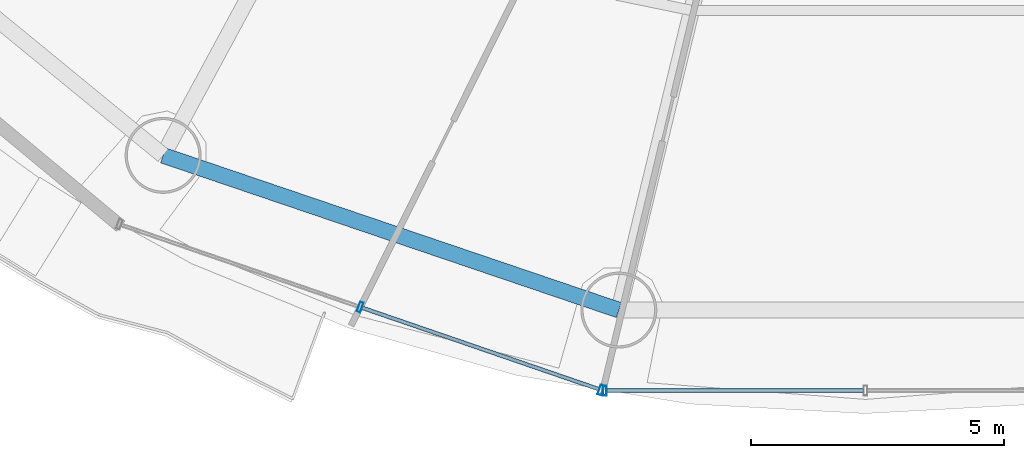
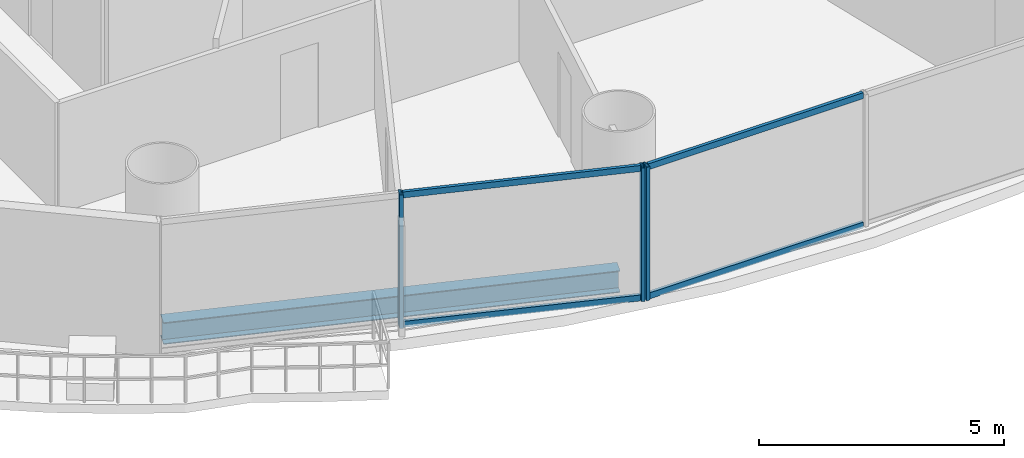
# One storey, part 4 of 29: 7 members, 1 beam, 2 elements without a shape of their own.
"""IFC4 building model written with IfcOpenShell, lengths in metres."""

from ifc_helpers import new_model, si_unit, direction, frame, origin, origin_2d, place, context, subcontext, project, spatial, hollow_rectangle, i_section, extrude, source, transform, mapped, material, material_profile, profile_set, type_object, element, aggregate, save


model = new_model("IFC4")

# Units and contexts
model_context = context("Model", 3, precision=1e-05, world=origin(), true_north=direction((-0.2419218956, 0.970295726276)))
body_context = subcontext(model_context, "Body", "Model", "MODEL_VIEW")
ifc_project = project(units=[si_unit("LENGTHUNIT", "METRE"), si_unit("AREAUNIT", "SQUARE_METRE"), si_unit("VOLUMEUNIT", "CUBIC_METRE"), si_unit("PLANEANGLEUNIT", "RADIAN"), si_unit("MASSUNIT", "GRAM", prefix="KILO")], contexts=[model_context])

# Site, building, storey
site_placement = place(None, origin())
site = spatial("IfcSite", under=ifc_project, at=site_placement, CompositionType="ELEMENT")
building_placement = place(site_placement, origin())
building = spatial("IfcBuilding", under=site, at=building_placement, Name="Cobrevalo Terracotta Tower", CompositionType="ELEMENT")
storey_placement = place(building_placement, frame((0.0, 0.0, 79.800048828125)))
storey = spatial("IfcBuildingStorey", under=building, at=storey_placement, Name="L20", CompositionType="ELEMENT", Elevation=79.800048828125)

# Beam
ifc_material_1 = material(Name="Steel S355", Category="steel")
ifc_material_profile_1 = material_profile(ifc_material_1, i_section(OverallWidth=0.31201171875, OverallDepth=0.54296875, WebThickness=0.0126953125, FlangeThickness=0.020263671875, at=origin_2d()), Name="W 530x150")
ifc_profile_set_1 = profile_set([ifc_material_profile_1], Name="Steel S355")
beam_type = type_object("IfcBeamType", Name="Structural Spandrel W 530x150 (Steel S355)", PredefinedType="SPANDREL", material=ifc_profile_set_1)
beam_placement = place(storey_placement, frame((24.138427734375, 9.79638671875, -0.546630859375), z_axis=(0.94691835344, -0.321474154356, 0.0), x_axis=(0.321474154356, 0.94691835344, 0.0)))
element("IfcBeam", 1, at=beam_placement, inside=storey, type_object=beam_type, Name="L20 perimeter ring spandrel 11", PredefinedType="SPANDREL", context=body_context, shape_type="SweptSolid", body=[
    extrude(i_section(OverallWidth=0.31201171875, OverallDepth=0.54296875, WebThickness=0.0126953125, FlangeThickness=0.020263671875, at=origin_2d()), origin(), (0.0, 0.0, 1.0), 9.498291015625),
])

# Curtain wall, members
ifc_material_2 = material(Name="Anodized aluminium", Category="aluminium")
curtain_wall_type = type_object("IfcCurtainWallType", Name="Lower-tower unitised acoustic low-E curtain wall CW-U1", PredefinedType="NOTDEFINED", material=ifc_material_2)
curtain_wall_1_placement = place(storey_placement, origin())
curtain_wall_1 = element("IfcCurtainWall", 2, at=curtain_wall_1_placement, inside=storey, type_object=curtain_wall_type, Name="L20 curtain wall CW-L20-S11", PredefinedType="NOTDEFINED")
ifc_material_profile_2 = material_profile(ifc_material_2, hollow_rectangle(XDim=0.074951171875, YDim=0.199951171875, WallThickness=0.0048828125, at=origin_2d()), Name="CWM 75x200")
ifc_profile_set_2 = profile_set([ifc_material_profile_2], Name="Anodized aluminium")
member_type_1 = type_object("IfcMemberType", Name="Lower/mid tower unitised mullion 75x200", PredefinedType="MULLION", material=ifc_profile_set_2)
shared_shape_1 = source(origin(), body_context, "Body", "SweptSolid", [
    extrude(hollow_rectangle(XDim=0.074951171875, YDim=0.199951171875, WallThickness=0.0048828125, at=origin_2d()), origin(), (0.0, 0.0, 1.0), 3.324951171875),
])
member_1_placement = place(storey_placement, frame((28.027587890625, 6.8017578125, 0.0), z_axis=(0.0, 0.0, 1.0), x_axis=(0.94559809868, -0.325337110968, 0.0)))
member_1 = element("IfcMember", 3, at=member_1_placement, type_object=member_type_1, Name="CW-L20-S11 vertical mullion 02", PredefinedType="MULLION", context=body_context, shape_type="MappedRepresentation", body=[
    mapped(shared_shape_1, transform((0.0, 0.0, 0.0), scale=1.0)),
])
member_2_placement = place(storey_placement, frame((32.778564453125, 5.1669921875, 0.0), z_axis=(0.0, 0.0, 1.0), x_axis=(0.94559809868, -0.325337110968, 0.0)))
member_2 = element("IfcMember", 4, at=member_2_placement, type_object=member_type_1, Name="CW-L20-S11 vertical mullion 03", PredefinedType="MULLION", context=body_context, shape_type="MappedRepresentation", body=[
    mapped(shared_shape_1, transform((0.0, 0.0, 0.0), scale=1.0)),
])

# Curtain wall, member
curtain_wall_2_placement = place(storey_placement, origin())
curtain_wall_2 = element("IfcCurtainWall", 5, at=curtain_wall_2_placement, inside=storey, type_object=curtain_wall_type, Name="L20 curtain wall CW-L20-S12", PredefinedType="NOTDEFINED")
member_3_placement = place(storey_placement, frame((32.8564453125, 5.154052734375, 0.0), z_axis=(0.0, 0.0, 1.0), x_axis=(1.0, 0.0, 0.0)))
member_3 = element("IfcMember", 6, at=member_3_placement, type_object=member_type_1, Name="CW-L20-S12 vertical mullion 01", PredefinedType="MULLION", context=body_context, shape_type="MappedRepresentation", body=[
    mapped(shared_shape_1, transform((0.0, 0.0, 0.0), scale=1.0)),
])

# Member
ifc_material_profile_3 = material_profile(ifc_material_2, hollow_rectangle(XDim=0.074951171875, YDim=0.14990234375, WallThickness=0.00439453125, at=origin_2d()), Name="CWT 75x150")
ifc_profile_set_3 = profile_set([ifc_material_profile_3], Name="Anodized aluminium")
member_type_2 = type_object("IfcMemberType", Name="Tower unitised aluminium transom 75x150", PredefinedType="USERDEFINED", material=ifc_profile_set_3)
shared_shape_2 = source(origin(), body_context, "Body", "SweptSolid", [
    extrude(hollow_rectangle(XDim=0.074951171875, YDim=0.14990234375, WallThickness=0.00439453125, at=origin_2d()), origin(), (0.0, 0.0, 1.0), 4.944580078125),
])
member_4_placement = place(storey_placement, frame((28.065185546875, 6.788818359375, 0.050048828125), z_axis=(0.945597859971, -0.32533780478, 0.0), x_axis=(0.32533780478, 0.945597859971, 0.0)))
member_4 = element("IfcMember", 7, at=member_4_placement, type_object=member_type_2, Name="CW-L20-S11 transom B02-T1", ObjectType="TRANSOM", PredefinedType="USERDEFINED", context=body_context, shape_type="MappedRepresentation", body=[
    mapped(shared_shape_2, transform((0.0, 0.0, 0.0), scale=1.0)),
])

member_5_placement = place(storey_placement, frame((28.065185546875, 6.788818359375, 3.27490234375), z_axis=(0.945597859971, -0.32533780478, 0.0), x_axis=(0.32533780478, 0.945597859971, 0.0)))
member_5 = element("IfcMember", 8, at=member_5_placement, type_object=member_type_2, Name="CW-L20-S11 transom B02-T2", ObjectType="TRANSOM", PredefinedType="USERDEFINED", context=body_context, shape_type="MappedRepresentation", body=[
    mapped(shared_shape_2, transform((0.0, 0.0, 0.0), scale=1.0)),
])

aggregate(curtain_wall_1, [member_1, member_2, member_4, member_5])

shared_shape_3 = source(origin(), body_context, "Body", "SweptSolid", [
    extrude(hollow_rectangle(XDim=0.074951171875, YDim=0.14990234375, WallThickness=0.00439453125, at=origin_2d()), origin(), (0.0, 0.0, 1.0), 5.0634765625),
])
member_6_placement = place(storey_placement, frame((32.896484375, 5.154052734375, 0.050048828125), z_axis=(1.0, 0.0, 0.0), x_axis=(0.0, 1.0, 0.0)))
member_6 = element("IfcMember", 9, at=member_6_placement, type_object=member_type_2, Name="CW-L20-S12 transom B01-T1", ObjectType="TRANSOM", PredefinedType="USERDEFINED", context=body_context, shape_type="MappedRepresentation", body=[
    mapped(shared_shape_3, transform((0.0, 0.0, 0.0), scale=1.0)),
])

member_7_placement = place(storey_placement, frame((32.896484375, 5.154052734375, 3.27490234375), z_axis=(1.0, 0.0, 0.0), x_axis=(0.0, 1.0, 0.0)))
member_7 = element("IfcMember", 10, at=member_7_placement, type_object=member_type_2, Name="CW-L20-S12 transom B01-T2", ObjectType="TRANSOM", PredefinedType="USERDEFINED", context=body_context, shape_type="MappedRepresentation", body=[
    mapped(shared_shape_3, transform((0.0, 0.0, 0.0), scale=1.0)),
])

aggregate(curtain_wall_2, [member_3, member_6, member_7])

save(model, "model.ifc")
